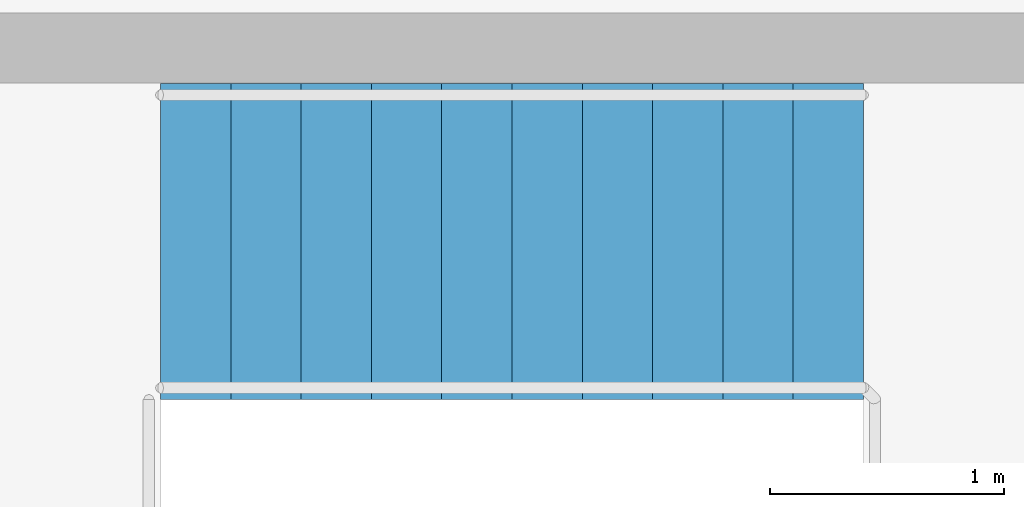
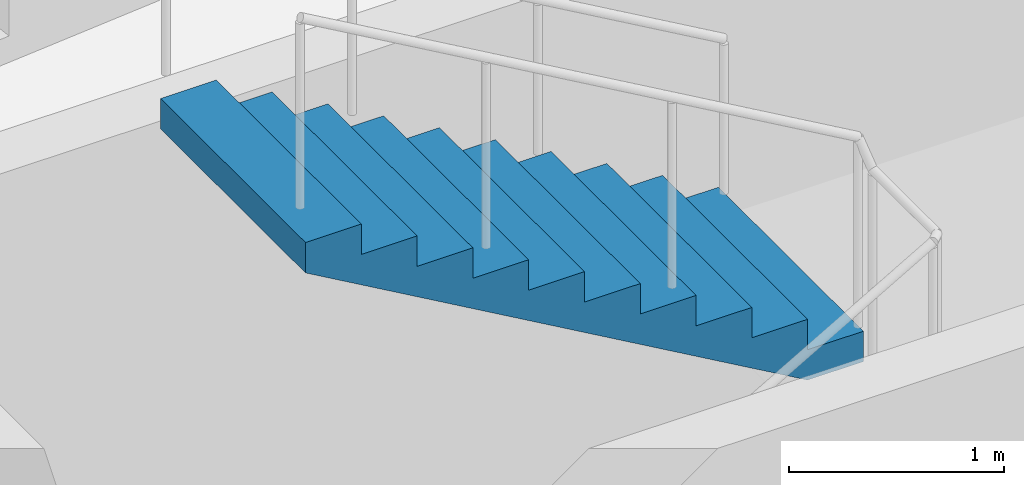
# One storey, part 8 of 10: 1 stair flight, 1 element without a shape of its own.
"""IFC4 building model written with IfcOpenShell, lengths in metres."""

from ifc_helpers import new_model, si_unit, direction, frame, origin, place, context, subcontext, project, spatial, polyline, outline, extrude, material, type_object, element, aggregate, save


model = new_model("IFC4")

# Units and contexts
model_context = context("Model", 3, precision=1e-05, world=origin(), true_north=direction((0.0, 1.0)))
body_context = subcontext(model_context, "Body", "Model", "MODEL_VIEW")
ifc_project = project(units=[si_unit("LENGTHUNIT", "METRE"), si_unit("AREAUNIT", "SQUARE_METRE"), si_unit("VOLUMEUNIT", "CUBIC_METRE"), si_unit("PLANEANGLEUNIT", "RADIAN"), si_unit("MASSUNIT", "GRAM", prefix="KILO")], contexts=[model_context])

# Site, building, storey
site_placement = place(None, origin())
site = spatial("IfcSite", under=ifc_project, at=site_placement, CompositionType="ELEMENT")
building_placement = place(site_placement, origin())
building = spatial("IfcBuilding", under=site, at=building_placement, Name="Brondeck Convention Tower", CompositionType="ELEMENT")
storey_placement = place(building_placement, frame((0.0, 0.0, 181.39990234375)))
storey = spatial("IfcBuildingStorey", under=building, at=storey_placement, Name="L44", CompositionType="ELEMENT", Elevation=181.39990234375)

# Stair, stair flight
ifc_material = material(Name="Precast concrete C50/60", Category="concrete")
stair_type = type_object("IfcStairType", Name="Core stair 22 risers 172.73 mm riser 300 mm going 1350 wide", PredefinedType="HALF_TURN_STAIR", material=ifc_material)
stair_placement = place(storey_placement, origin())
stair = element("IfcStair", 1, at=stair_placement, inside=storey, type_object=stair_type, Name="ST-AE L44 stair", PredefinedType="HALF_TURN_STAIR")
stair_flight_type = type_object("IfcStairFlightType", Name="Core stair flight 22 risers 172.73 mm riser 300 mm going 1350 wide", PredefinedType="STRAIGHT", material=ifc_material)
stair_flight_placement = place(storey_placement, frame((40.85009765625, 56.77490234375, 1.900146484375), z_axis=(0.0, 0.0, 1.0), x_axis=(-1.0, 0.0, 0.0)))
stair_flight = element("IfcStairFlight", 2, at=stair_flight_placement, type_object=stair_flight_type, Name="ST-AE flight 2", NumberOfRisers=11, NumberOfTreads=10, PredefinedType="STRAIGHT", RiserHeight=0.172727273, TreadLength=0.3, context=body_context, shape_type="SweptSolid", body=[
    extrude(outline(polyline([(0.0, 0.0), (0.0, 0.172607421875), (0.300048828125, 0.172607421875), (0.300048828125, 0.345458984375), (0.60009765625, 0.345458984375), (0.60009765625, 0.51806640625), (0.89990234375, 0.51806640625), (0.89990234375, 0.69091796875), (1.199951171875, 0.69091796875), (1.199951171875, 0.863525390625), (1.5, 0.863525390625), (1.5, 1.036376953125), (1.800048828125, 1.036376953125), (1.800048828125, 1.208984375), (2.10009765625, 1.208984375), (2.10009765625, 1.3818359375), (2.39990234375, 1.3818359375), (2.39990234375, 1.554443359375), (2.699951171875, 1.554443359375), (2.699951171875, 1.727294921875), (3.0, 1.727294921875), (3.0, 1.89990234375), (3.0, 1.55419921875), (0.300537109375, 0.0), (0.0, 0.0)])), frame((0.0, 0.675048828125, 0.0), z_axis=(0.0, -1.0, 0.0), x_axis=(1.0, 0.0, 0.0)), (0.0, 0.0, 1.0), 1.35009765625),
])
aggregate(stair, [stair_flight])

save(model, "model.ifc")
